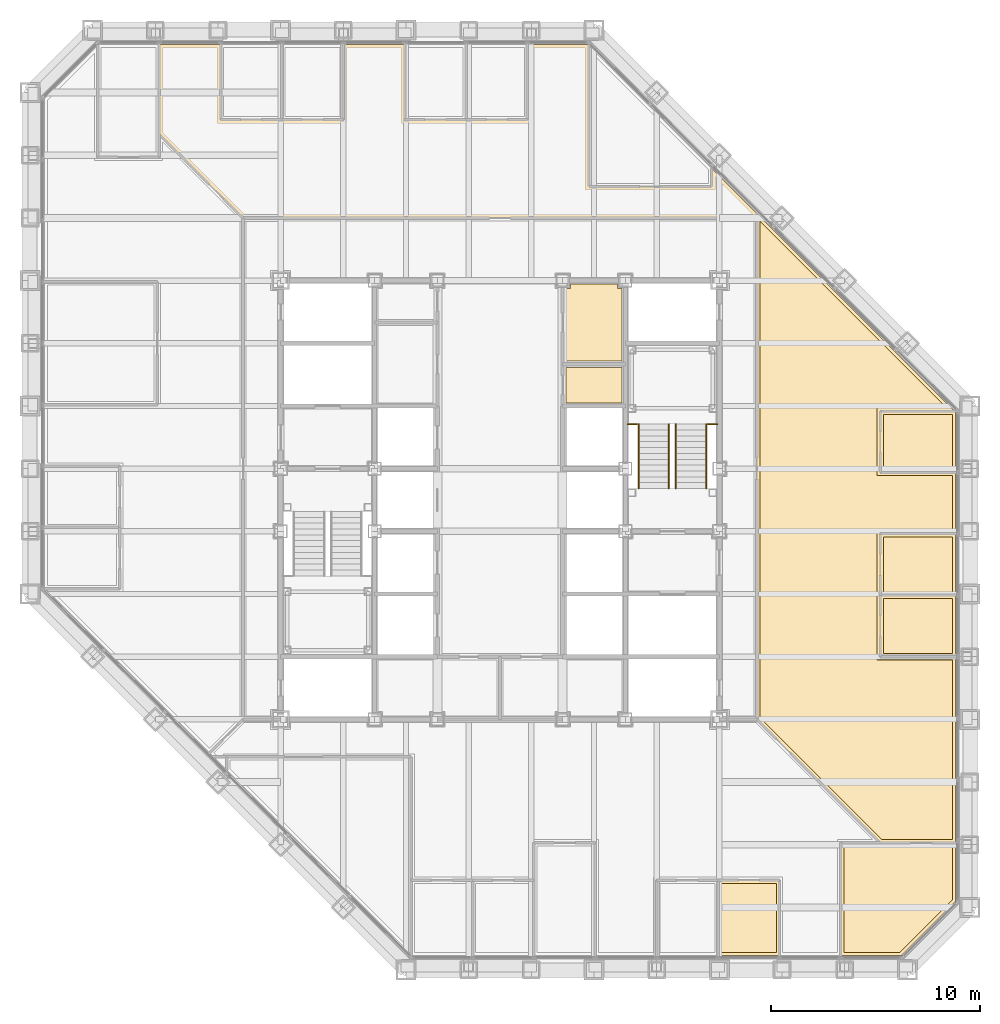
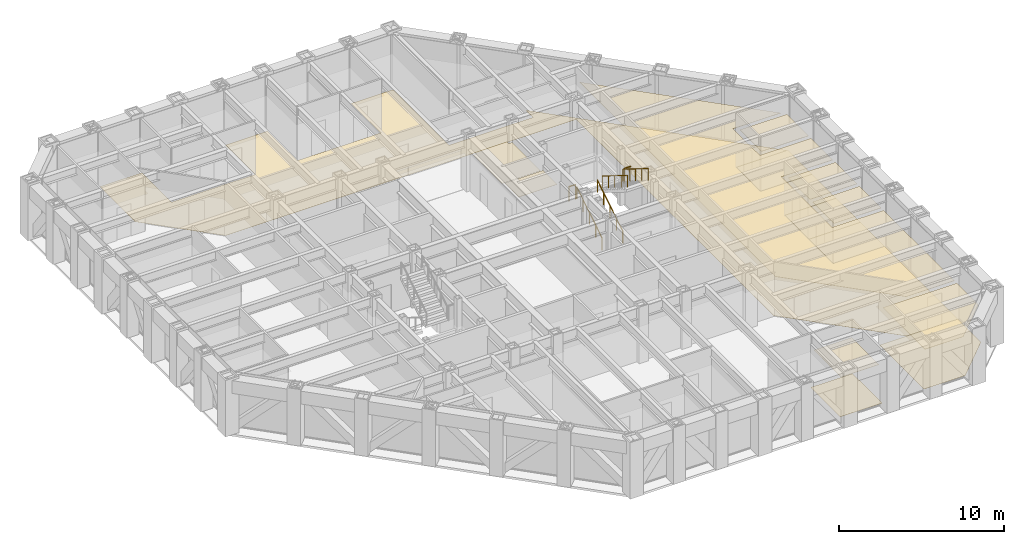
# One storey, part 16 of 17: 14 coverings, 6 railings.
"""IFC4 building model written with IfcOpenShell, lengths in metres."""

from ifc_helpers import new_model, si_unit, direction, frame, origin, origin_2d, place, context, subcontext, project, spatial, polyline, circle, outline, extrude, material, layer, layer_set, type_object, element, save


model = new_model("IFC4")

# Units and contexts
model_context = context("Model", 3, precision=1e-05, world=origin(), true_north=direction((0.0, 1.0)))
body_context = subcontext(model_context, "Body", "Model", "MODEL_VIEW")
ifc_project = project(units=[si_unit("LENGTHUNIT", "METRE"), si_unit("AREAUNIT", "SQUARE_METRE"), si_unit("VOLUMEUNIT", "CUBIC_METRE"), si_unit("PLANEANGLEUNIT", "RADIAN"), si_unit("MASSUNIT", "GRAM", prefix="KILO")], contexts=[model_context])

# Site, building, storey
site_placement = place(None, origin())
site = spatial("IfcSite", under=ifc_project, at=site_placement, CompositionType="ELEMENT")
building_placement = place(site_placement, origin())
building = spatial("IfcBuilding", under=site, at=building_placement, Name="Chuquiago Exchange Tower", CompositionType="ELEMENT")
storey_placement = place(building_placement, frame((0.0, 0.0, 165.60009765625)))
storey = spatial("IfcBuildingStorey", under=building, at=storey_placement, Name="L36", CompositionType="ELEMENT", Elevation=165.60009765625)

# Coverings
ifc_material_1 = material(Name="Mineral fibre tile, 600 x 600, on pale metal grid", Category="mineral fibre")
ifc_layer_1 = layer(ifc_material_1, 0.02001953125)
ifc_layer_set_1 = layer_set([ifc_layer_1], Name="CL1 suspended tile ceiling 20")
covering_type_1 = type_object("IfcCoveringType", Name="CL1 suspended tile ceiling 20", PredefinedType="CEILING", material=ifc_layer_set_1)
covering_1_placement = place(storey_placement, frame((0.0, 0.0, 2.7998046875)))
element("IfcCovering", 1, at=covering_1_placement, inside=storey, type_object=covering_type_1, Name="Ceiling Focus room", PredefinedType="CEILING", context=body_context, shape_type="SweptSolid", body=[
    extrude(outline(polyline([(33.087890625, 4.14990234375), (35.7255859375, 4.14990234375), (35.7255859375, 0.85009765625), (33.087890625, 0.85009765625), (33.087890625, 4.14990234375)])), origin(), (0.0, 0.0, 1.0), 0.02001953125),
])
covering_2_placement = place(storey_placement, frame((0.0, 0.0, 2.7998046875)))
element("IfcCovering", 2, at=covering_2_placement, inside=storey, type_object=covering_type_1, Name="Ceiling Meeting room", PredefinedType="CEILING", context=body_context, shape_type="SweptSolid", body=[
    extrude(outline(polyline([(41.64794921875, 0.85009765625), (38.963623046875, 0.85009765625), (38.963623046875, 5.949951171875), (44.14990234375, 5.949951171875), (44.14990234375, 3.35205078125), (41.64794921875, 0.85009765625)])), origin(), (0.0, 0.0, 1.0), 0.02001953125),
])
covering_3_placement = place(storey_placement, frame((0.0, 0.0, 2.7998046875)))
element("IfcCovering", 3, at=covering_3_placement, inside=storey, type_object=covering_type_1, Name="Ceiling Focus room", PredefinedType="CEILING", context=body_context, shape_type="SweptSolid", body=[
    extrude(outline(polyline([(40.85009765625, 15.14990234375), (40.85009765625, 17.787841796875), (44.14990234375, 17.787841796875), (44.14990234375, 15.14990234375), (40.85009765625, 15.14990234375)])), origin(), (0.0, 0.0, 1.0), 0.02001953125),
])
covering_4_placement = place(storey_placement, frame((0.0, 0.0, 2.7998046875)))
element("IfcCovering", 4, at=covering_4_placement, inside=storey, type_object=covering_type_1, Name="Ceiling Focus room", PredefinedType="CEILING", context=body_context, shape_type="SweptSolid", body=[
    extrude(outline(polyline([(40.85009765625, 18.087890625), (40.85009765625, 20.7255859375), (44.14990234375, 20.7255859375), (44.14990234375, 18.087890625), (40.85009765625, 18.087890625)])), origin(), (0.0, 0.0, 1.0), 0.02001953125),
])
covering_5_placement = place(storey_placement, frame((0.0, 0.0, 2.7998046875)))
element("IfcCovering", 5, at=covering_5_placement, inside=storey, type_object=covering_type_1, Name="Ceiling Focus room", PredefinedType="CEILING", context=body_context, shape_type="SweptSolid", body=[
    extrude(outline(polyline([(44.14990234375, 23.963623046875), (40.85009765625, 23.963623046875), (40.85009765625, 26.6015625), (44.14990234375, 26.6015625), (44.14990234375, 23.963623046875)])), origin(), (0.0, 0.0, 1.0), 0.02001953125),
])
covering_6_placement = place(storey_placement, frame((0.0, 0.0, 2.7998046875)))
element("IfcCovering", 6, at=covering_6_placement, inside=storey, type_object=covering_type_1, Name="Ceiling Open office east", PredefinedType="CEILING", context=body_context, shape_type="SweptSolid", body=[
    extrude(outline(polyline([(43.896484375, 26.901611328125), (40.550048828125, 26.901611328125), (40.550048828125, 23.66357421875), (44.14990234375, 23.66357421875), (44.14990234375, 21.025634765625), (40.550048828125, 21.025634765625), (40.550048828125, 14.85009765625), (44.14990234375, 14.85009765625), (44.14990234375, 6.25), (40.7626953125, 6.25), (34.949951171875, 12.0625), (34.949951171875, 35.847900390625), (43.896484375, 26.901611328125)])), origin(), (0.0, 0.0, 1.0), 0.02001953125),
])
covering_7_placement = place(storey_placement, frame((0.0, 0.0, 2.7998046875)))
element("IfcCovering", 7, at=covering_7_placement, inside=storey, type_object=covering_type_1, Name="Ceiling First aid room", PredefinedType="CEILING", context=body_context, shape_type="SweptSolid", body=[
    extrude(outline(polyline([(25.64990234375, 27.14990234375), (25.64990234375, 28.85009765625), (28.35009765625, 28.85009765625), (28.35009765625, 27.14990234375), (25.64990234375, 27.14990234375)])), origin(), (0.0, 0.0, 1.0), 0.02001953125),
])
ifc_material_2 = material(Name="Moisture resistant plasterboard on metal frame", Category="gypsum")
ifc_layer_2 = layer(ifc_material_2, 0.014892578125)
ifc_layer_set_2 = layer_set([ifc_layer_2], Name="CL2 moisture resistant ceiling 15")
covering_type_2 = type_object("IfcCoveringType", Name="CL2 moisture resistant ceiling 15", PredefinedType="CEILING", material=ifc_layer_set_2)
covering_8_placement = place(storey_placement, frame((0.0, 0.0, 2.599853515625)))
element("IfcCovering", 8, at=covering_8_placement, inside=storey, type_object=covering_type_2, Name="Ceiling Female WC", PredefinedType="CEILING", context=body_context, shape_type="SweptSolid", body=[
    extrude(outline(polyline([(25.64990234375, 29.14990234375), (25.64990234375, 32.625), (25.875, 32.625), (25.875, 32.85009765625), (28.125, 32.85009765625), (28.125, 32.625), (28.35009765625, 32.625), (28.35009765625, 29.14990234375), (25.64990234375, 29.14990234375)])), origin(), (0.0, 0.0, 1.0), 0.01513671875),
])
ifc_material_3 = material(Name="Carpet tile, 500 x 500, on the floor slab", Category="textile")
ifc_layer_3 = layer(ifc_material_3, 0.010009765625)
ifc_layer_set_3 = layer_set([ifc_layer_3], Name="FL1 carpet tile 10")
covering_type_3 = type_object("IfcCoveringType", Name="FL1 carpet tile 10", PredefinedType="FLOORING", material=ifc_layer_set_3)
covering_9_placement = place(storey_placement, origin())
element("IfcCovering", 9, at=covering_9_placement, inside=storey, type_object=covering_type_3, Name="Floor finish Focus room", PredefinedType="FLOORING", context=body_context, shape_type="SweptSolid", body=[
    extrude(outline(polyline([(32.93798828125, 0.699951171875), (32.93798828125, 4.300048828125), (35.875732421875, 4.300048828125), (35.875732421875, 0.699951171875), (32.93798828125, 0.699951171875)])), origin(), (0.0, 0.0, 1.0), 0.010009765625),
])
covering_10_placement = place(storey_placement, origin())
element("IfcCovering", 10, at=covering_10_placement, inside=storey, type_object=covering_type_3, Name="Floor finish Meeting room", PredefinedType="FLOORING", context=body_context, shape_type="SweptSolid", body=[
    extrude(outline(polyline([(44.300048828125, 3.289794921875), (41.710205078125, 0.699951171875), (38.813720703125, 0.699951171875), (38.813720703125, 6.10009765625), (44.300048828125, 6.10009765625), (44.300048828125, 3.289794921875)])), origin(), (0.0, 0.0, 1.0), 0.010009765625),
])
covering_11_placement = place(storey_placement, origin())
element("IfcCovering", 11, at=covering_11_placement, inside=storey, type_object=covering_type_3, Name="Floor finish Focus room", PredefinedType="FLOORING", context=body_context, shape_type="SweptSolid", body=[
    extrude(outline(polyline([(44.300048828125, 15.0), (40.699951171875, 15.0), (40.699951171875, 17.93798828125), (44.300048828125, 17.93798828125), (44.300048828125, 15.0)])), origin(), (0.0, 0.0, 1.0), 0.010009765625),
])
covering_12_placement = place(storey_placement, origin())
element("IfcCovering", 12, at=covering_12_placement, inside=storey, type_object=covering_type_3, Name="Floor finish Focus room", PredefinedType="FLOORING", context=body_context, shape_type="SweptSolid", body=[
    extrude(outline(polyline([(44.300048828125, 17.93798828125), (40.699951171875, 17.93798828125), (40.699951171875, 20.875732421875), (44.300048828125, 20.875732421875), (44.300048828125, 17.93798828125)])), origin(), (0.0, 0.0, 1.0), 0.010009765625),
])
covering_13_placement = place(storey_placement, origin())
element("IfcCovering", 13, at=covering_13_placement, inside=storey, type_object=covering_type_3, Name="Floor finish Focus room", PredefinedType="FLOORING", context=body_context, shape_type="SweptSolid", body=[
    extrude(outline(polyline([(44.300048828125, 26.710205078125), (44.300048828125, 23.813720703125), (40.699951171875, 23.813720703125), (40.699951171875, 26.75146484375), (44.258544921875, 26.75146484375), (44.300048828125, 26.710205078125)])), origin(), (0.0, 0.0, 1.0), 0.010009765625),
])
covering_14_placement = place(storey_placement, origin())
element("IfcCovering", 14, at=covering_14_placement, inside=storey, type_object=covering_type_3, Name="Floor finish Open office east", PredefinedType="FLOORING", context=body_context, shape_type="SweptSolid", body=[
    extrude(outline(polyline([(6.186279296875, 44.300048828125), (9.124267578125, 44.300048828125), (9.124267578125, 40.699951171875), (15.0, 40.699951171875), (15.0, 44.300048828125), (17.93798828125, 44.300048828125), (17.93798828125, 40.699951171875), (23.813720703125, 40.699951171875), (23.813720703125, 44.300048828125), (26.710205078125, 44.300048828125), (26.75146484375, 44.258544921875), (26.75146484375, 37.5), (32.63427734375, 37.5), (32.63427734375, 38.375732421875), (44.258544921875, 26.75146484375), (40.699951171875, 26.75146484375), (40.699951171875, 23.813720703125), (44.300048828125, 23.813720703125), (44.300048828125, 20.875732421875), (40.699951171875, 20.875732421875), (40.699951171875, 15.0), (44.300048828125, 15.0), (44.300048828125, 6.10009765625), (40.70068359375, 6.10009765625), (34.800048828125, 12.00048828125), (34.800048828125, 36.0), (10.200439453125, 36.0), (6.186279296875, 40.014404296875), (6.186279296875, 44.300048828125)])), origin(), (0.0, 0.0, 1.0), 0.010009765625),
])

# Railings
ifc_material_4 = material(Name="Pale metal guard with safety glass infill", Category="glass")
railing_type_1 = type_object("IfcRailingType", Name="GR1 guard 1100", PredefinedType="GUARDRAIL", material=ifc_material_4)
for number, where, name in (
    (15, (28.60009765625, 26.1298828125, 2.099853515625), "Guard ST2 L36 landing 2"),
    (16, (32.445068359375, 26.1298828125, 2.099853515625), "Guard ST2 L36 landing 2"),
):
    element("IfcRailing", number, at=place(storey_placement, frame(where)), inside=storey, type_object=railing_type_1, Name=name, PredefinedType="GUARDRAIL", context=body_context, shape_type="SweptSolid", body=[
        extrude(circle(Radius=0.02392578125, at=origin_2d()), frame((0.0, 0.0, 1.076171875), z_axis=(1.0, 0.0, 0.0), x_axis=(0.0, 1.0, 0.0)), (0.0, 0.0, 1.0), 0.454833984375),
        extrude(circle(Radius=0.02099609375, at=origin_2d()), origin(), (0.0, 0.0, 1.0), 1.052001953125),
        extrude(circle(Radius=0.02099609375, at=origin_2d()), frame((0.454833984375, 0.0, 0.0)), (0.0, 0.0, 1.0), 1.052001953125),
    ])
ifc_material_5 = material(Name="Pale metal handrail", Category="steel")
railing_type_2 = type_object("IfcRailingType", Name="HR1 handrail 900", PredefinedType="HANDRAIL", material=ifc_material_5)
for number, where, name in (
    (17, (30.5849609375, 23.050048828125, 0.1748046875), "Handrail ST2 L36 flight 1"),
    (18, (29.135009765625, 23.050048828125, 0.1748046875), "Handrail ST2 L36 flight 1"),
):
    element("IfcRailing", number, at=place(storey_placement, frame(where)), inside=storey, type_object=railing_type_2, Name=name, PredefinedType="HANDRAIL", context=body_context, shape_type="SweptSolid", body=[
        extrude(circle(Radius=0.02392578125, at=origin_2d()), frame((0.0, 0.0, 0.8759765625), z_axis=(0.0, 0.847979421464, 0.530029150871), x_axis=(-1.0, 0.0, 0.0)), (0.0, 0.0, 1.0), 3.632080078125),
        extrude(circle(Radius=0.02099609375, at=origin_2d()), origin(), (0.0, 0.0, 1.0), 0.851806640625),
        extrude(circle(Radius=0.02099609375, at=origin_2d()), frame((0.0, 0.77001953125, 0.481201171875)), (0.0, 0.0, 1.0), 0.851806640625),
        extrude(circle(Radius=0.02099609375, at=origin_2d()), frame((0.0, 1.5400390625, 0.96240234375)), (0.0, 0.0, 1.0), 0.851806640625),
        extrude(circle(Radius=0.02099609375, at=origin_2d()), frame((0.0, 2.309814453125, 1.44384765625)), (0.0, 0.0, 1.0), 0.851806640625),
        extrude(circle(Radius=0.02099609375, at=origin_2d()), frame((0.0, 3.079833984375, 1.925048828125)), (0.0, 0.0, 1.0), 0.851806640625),
    ])
for number, where, name in (
    (19, (30.9150390625, 26.1298828125, 2.27490234375), "Handrail ST2 L36 flight 2"),
    (20, (32.364990234375, 26.1298828125, 2.27490234375), "Handrail ST2 L36 flight 2"),
):
    element("IfcRailing", number, at=place(storey_placement, frame(where)), inside=storey, type_object=railing_type_2, Name=name, PredefinedType="HANDRAIL", context=body_context, shape_type="SweptSolid", body=[
        extrude(circle(Radius=0.02392578125, at=origin_2d()), frame((0.0, 0.0, 0.8759765625), z_axis=(0.0, -0.847979421464, 0.530029150871), x_axis=(1.0, 0.0, 0.0)), (0.0, 0.0, 1.0), 3.632080078125),
        extrude(circle(Radius=0.02099609375, at=origin_2d()), origin(), (0.0, 0.0, 1.0), 0.851806640625),
        extrude(circle(Radius=0.02099609375, at=origin_2d()), frame((0.0, -0.77001953125, 0.481201171875)), (0.0, 0.0, 1.0), 0.851806640625),
        extrude(circle(Radius=0.02099609375, at=origin_2d()), frame((0.0, -1.5400390625, 0.96240234375)), (0.0, 0.0, 1.0), 0.851806640625),
        extrude(circle(Radius=0.02099609375, at=origin_2d()), frame((0.0, -2.309814453125, 1.44384765625)), (0.0, 0.0, 1.0), 0.851806640625),
        extrude(circle(Radius=0.02099609375, at=origin_2d()), frame((0.0, -3.079833984375, 1.925048828125)), (0.0, 0.0, 1.0), 0.851806640625),
    ])

save(model, "model.ifc")
